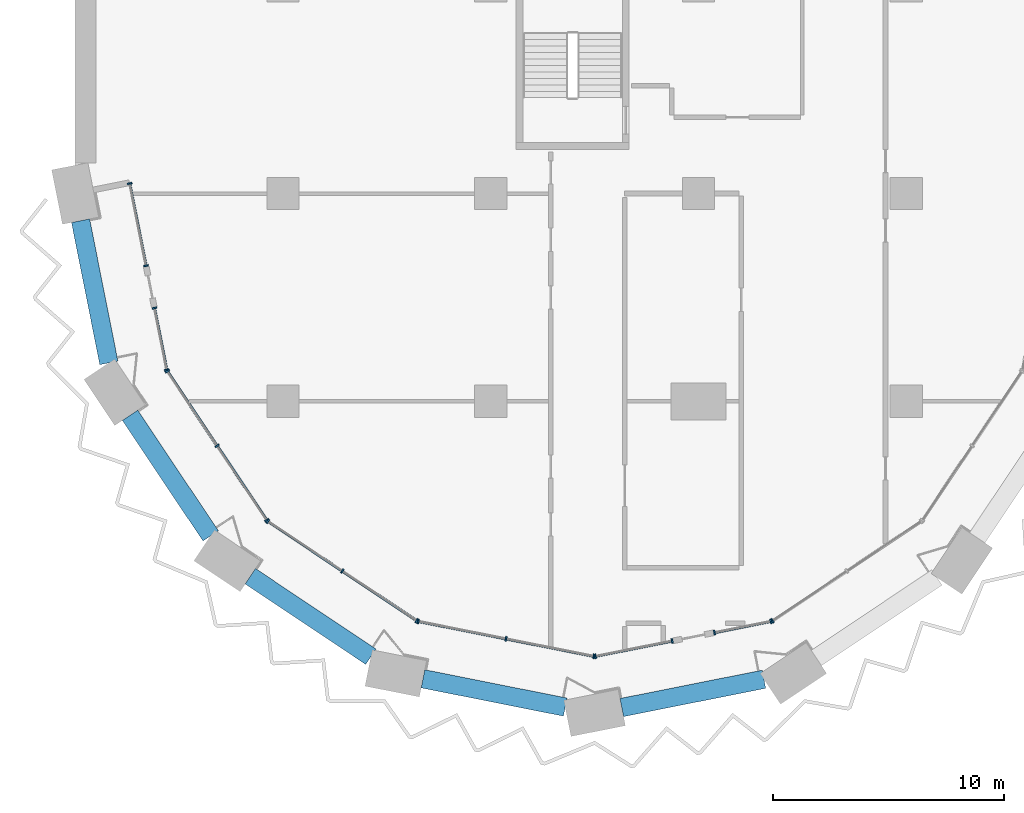
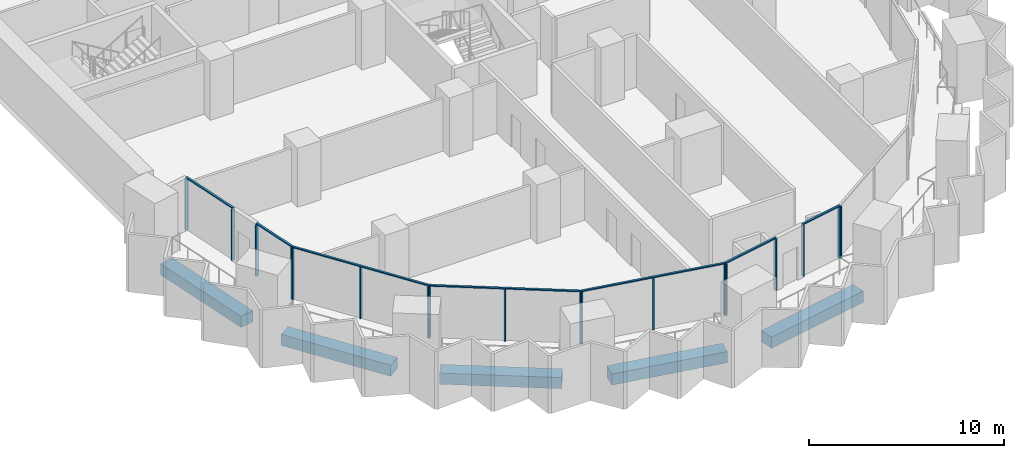
# One storey, part 2 of 28: 25 members, 5 beams, 8 elements without a shape of their own.
"""IFC4 building model written with IfcOpenShell, lengths in metres."""

from ifc_helpers import new_model, si_unit, direction, frame, origin, origin_2d, place, context, subcontext, project, spatial, rectangle, extrude, material, material_profile, profile_set, type_object, element, aggregate, save


model = new_model("IFC4")

# Units and contexts
model_context = context("Model", 3, precision=1e-05, world=origin(), true_north=direction((0.0, 1.0)))
body_context = subcontext(model_context, "Body", "Model", "MODEL_VIEW")
ifc_project = project(units=[si_unit("LENGTHUNIT", "METRE"), si_unit("AREAUNIT", "SQUARE_METRE"), si_unit("VOLUMEUNIT", "CUBIC_METRE"), si_unit("PLANEANGLEUNIT", "RADIAN"), si_unit("MASSUNIT", "GRAM", prefix="KILO")], contexts=[model_context])

# Site, building, storey
site_placement = place(None, origin())
site = spatial("IfcSite", under=ifc_project, at=site_placement, CompositionType="ELEMENT")
building_placement = place(site_placement, origin())
building = spatial("IfcBuilding", under=site, at=building_placement, Name="Hunhe Ridgeline Campus", CompositionType="ELEMENT")
storey_placement = place(building_placement, frame((0.0, 0.0, 58.0)))
storey = spatial("IfcBuildingStorey", under=building, at=storey_placement, Name="L13", CompositionType="ELEMENT", Elevation=58.0)

# Curtain wall, members
ifc_material_1 = material(Name="Aluminium 6063", Category="aluminium")
curtain_wall_type = type_object("IfcCurtainWallType", Name="Curtain wall CW-5", PredefinedType="NOTDEFINED", material=ifc_material_1)
curtain_wall_1_placement = place(storey_placement, origin())
curtain_wall_1 = element("IfcCurtainWall", 1, at=curtain_wall_1_placement, inside=storey, type_object=curtain_wall_type, Name="Curtain wall 01", PredefinedType="NOTDEFINED")
ifc_material_profile_1 = material_profile(ifc_material_1, rectangle(XDim=0.199951171875, YDim=0.070068359375, at=origin_2d()))
ifc_profile_set_1 = profile_set([ifc_material_profile_1], Name="Aluminium 6063")
member_type_1 = type_object("IfcMemberType", Name="CW-5 aluminium mullion", PredefinedType="MULLION", material=ifc_profile_set_1)
member_1_placement = place(storey_placement, frame((2.361572265625, 27.434326171875, 0.0), z_axis=(0.0, 0.0, 1.0), x_axis=(0.980784284924, 0.195095326561, 0.0)))
member_1 = element("IfcMember", 2, at=member_1_placement, type_object=member_type_1, Name="CW-5 mullion 1", PredefinedType="MULLION", context=body_context, shape_type="SweptSolid", body=[
    extrude(rectangle(XDim=0.199951171875, YDim=0.070068359375, at=origin_2d()), origin(), (0.0, 0.0, 1.0), 3.22998046875),
])
member_2_placement = place(storey_placement, frame((3.070068359375, 23.873291015625, 0.0), z_axis=(0.0, 0.0, 1.0), x_axis=(0.980784284924, 0.195095326561, 0.0)))
member_2 = element("IfcMember", 3, at=member_2_placement, type_object=member_type_1, Name="CW-5 mullion 2", PredefinedType="MULLION", context=body_context, shape_type="SweptSolid", body=[
    extrude(rectangle(XDim=0.199951171875, YDim=0.070068359375, at=origin_2d()), origin(), (0.0, 0.0, 1.0), 3.22998046875),
])

curtain_wall_2_placement = place(storey_placement, origin())
curtain_wall_2 = element("IfcCurtainWall", 4, at=curtain_wall_2_placement, inside=storey, type_object=curtain_wall_type, Name="Curtain wall 02", PredefinedType="NOTDEFINED")
member_3_placement = place(storey_placement, frame((3.434814453125, 22.0390625, 0.0), z_axis=(0.0, 0.0, 1.0), x_axis=(0.980784297053, 0.195095265587, 0.0)))
member_3 = element("IfcMember", 5, at=member_3_placement, type_object=member_type_1, Name="CW-5 mullion 1", PredefinedType="MULLION", context=body_context, shape_type="SweptSolid", body=[
    extrude(rectangle(XDim=0.199951171875, YDim=0.070068359375, at=origin_2d()), origin(), (0.0, 0.0, 1.0), 3.22998046875),
])
member_4_placement = place(storey_placement, frame((3.967529296875, 19.36083984375, 0.0), z_axis=(0.0, 0.0, 1.0), x_axis=(0.980784297053, 0.195095265587, 0.0)))
member_4 = element("IfcMember", 6, at=member_4_placement, type_object=member_type_1, Name="CW-5 mullion 2", PredefinedType="MULLION", context=body_context, shape_type="SweptSolid", body=[
    extrude(rectangle(XDim=0.199951171875, YDim=0.070068359375, at=origin_2d()), origin(), (0.0, 0.0, 1.0), 3.22998046875),
])

curtain_wall_3_placement = place(storey_placement, origin())
curtain_wall_3 = element("IfcCurtainWall", 7, at=curtain_wall_3_placement, inside=storey, type_object=curtain_wall_type, Name="Curtain wall 03", PredefinedType="NOTDEFINED")
member_5_placement = place(storey_placement, frame((3.993896484375, 19.29736328125, 0.0), z_axis=(0.0, 0.0, 1.0), x_axis=(0.831469584522, 0.555570274596, 0.0)))
member_5 = element("IfcMember", 8, at=member_5_placement, type_object=member_type_1, Name="CW-5 mullion 1", PredefinedType="MULLION", context=body_context, shape_type="SweptSolid", body=[
    extrude(rectangle(XDim=0.199951171875, YDim=0.070068359375, at=origin_2d()), origin(), (0.0, 0.0, 1.0), 3.22998046875),
])
member_6_placement = place(storey_placement, frame((6.147705078125, 16.07373046875, 0.0), z_axis=(0.0, 0.0, 1.0), x_axis=(0.831469584522, 0.555570274596, 0.0)))
member_6 = element("IfcMember", 9, at=member_6_placement, type_object=member_type_1, Name="CW-5 mullion 2", PredefinedType="MULLION", context=body_context, shape_type="SweptSolid", body=[
    extrude(rectangle(XDim=0.199951171875, YDim=0.070068359375, at=origin_2d()), origin(), (0.0, 0.0, 1.0), 3.22998046875),
])
member_7_placement = place(storey_placement, frame((8.3017578125, 12.850341796875, 0.0), z_axis=(0.0, 0.0, 1.0), x_axis=(0.831469584522, 0.555570274596, 0.0)))
member_7 = element("IfcMember", 10, at=member_7_placement, type_object=member_type_1, Name="CW-5 mullion 3", PredefinedType="MULLION", context=body_context, shape_type="SweptSolid", body=[
    extrude(rectangle(XDim=0.199951171875, YDim=0.070068359375, at=origin_2d()), origin(), (0.0, 0.0, 1.0), 3.22998046875),
])

curtain_wall_4_placement = place(storey_placement, origin())
curtain_wall_4 = element("IfcCurtainWall", 11, at=curtain_wall_4_placement, inside=storey, type_object=curtain_wall_type, Name="Curtain wall 04", PredefinedType="NOTDEFINED")
member_8_placement = place(storey_placement, frame((8.350341796875, 12.8017578125, 0.0), z_axis=(0.0, 0.0, 1.0), x_axis=(0.555570274596, 0.831469584522, 0.0)))
member_8 = element("IfcMember", 12, at=member_8_placement, type_object=member_type_1, Name="CW-5 mullion 1", PredefinedType="MULLION", context=body_context, shape_type="SweptSolid", body=[
    extrude(rectangle(XDim=0.199951171875, YDim=0.070068359375, at=origin_2d()), origin(), (0.0, 0.0, 1.0), 3.22998046875),
])
member_9_placement = place(storey_placement, frame((11.57373046875, 10.647705078125, 0.0), z_axis=(0.0, 0.0, 1.0), x_axis=(0.555570274596, 0.831469584522, 0.0)))
member_9 = element("IfcMember", 13, at=member_9_placement, type_object=member_type_1, Name="CW-5 mullion 2", PredefinedType="MULLION", context=body_context, shape_type="SweptSolid", body=[
    extrude(rectangle(XDim=0.199951171875, YDim=0.070068359375, at=origin_2d()), origin(), (0.0, 0.0, 1.0), 3.22998046875),
])
member_10_placement = place(storey_placement, frame((14.79736328125, 8.493896484375, 0.0), z_axis=(0.0, 0.0, 1.0), x_axis=(0.555570274596, 0.831469584522, 0.0)))
member_10 = element("IfcMember", 14, at=member_10_placement, type_object=member_type_1, Name="CW-5 mullion 3", PredefinedType="MULLION", context=body_context, shape_type="SweptSolid", body=[
    extrude(rectangle(XDim=0.199951171875, YDim=0.070068359375, at=origin_2d()), origin(), (0.0, 0.0, 1.0), 3.22998046875),
])

curtain_wall_5_placement = place(storey_placement, origin())
curtain_wall_5 = element("IfcCurtainWall", 15, at=curtain_wall_5_placement, inside=storey, type_object=curtain_wall_type, Name="Curtain wall 05", PredefinedType="NOTDEFINED")
member_11_placement = place(storey_placement, frame((14.86083984375, 8.467529296875, 0.0), z_axis=(0.0, 0.0, 1.0), x_axis=(0.195090347539, 0.980785275326, 0.0)))
member_11 = element("IfcMember", 16, at=member_11_placement, type_object=member_type_1, Name="CW-5 mullion 1", PredefinedType="MULLION", context=body_context, shape_type="SweptSolid", body=[
    extrude(rectangle(XDim=0.199951171875, YDim=0.070068359375, at=origin_2d()), origin(), (0.0, 0.0, 1.0), 3.22998046875),
])
member_12_placement = place(storey_placement, frame((18.663330078125, 7.711181640625, 0.0), z_axis=(0.0, 0.0, 1.0), x_axis=(0.195090347539, 0.980785275326, 0.0)))
member_12 = element("IfcMember", 17, at=member_12_placement, type_object=member_type_1, Name="CW-5 mullion 2", PredefinedType="MULLION", context=body_context, shape_type="SweptSolid", body=[
    extrude(rectangle(XDim=0.199951171875, YDim=0.070068359375, at=origin_2d()), origin(), (0.0, 0.0, 1.0), 3.22998046875),
])
member_13_placement = place(storey_placement, frame((22.465576171875, 6.954833984375, 0.0), z_axis=(0.0, 0.0, 1.0), x_axis=(0.195090347539, 0.980785275326, 0.0)))
member_13 = element("IfcMember", 18, at=member_13_placement, type_object=member_type_1, Name="CW-5 mullion 3", PredefinedType="MULLION", context=body_context, shape_type="SweptSolid", body=[
    extrude(rectangle(XDim=0.199951171875, YDim=0.070068359375, at=origin_2d()), origin(), (0.0, 0.0, 1.0), 3.22998046875),
])

curtain_wall_6_placement = place(storey_placement, origin())
curtain_wall_6 = element("IfcCurtainWall", 19, at=curtain_wall_6_placement, inside=storey, type_object=curtain_wall_type, Name="Curtain wall 06", PredefinedType="NOTDEFINED")
member_14_placement = place(storey_placement, frame((22.534423828125, 6.954833984375, 0.0), z_axis=(0.0, 0.0, 1.0), x_axis=(-0.19509037034, 0.980785270791, 0.0)))
member_14 = element("IfcMember", 20, at=member_14_placement, type_object=member_type_1, Name="CW-5 mullion 1", PredefinedType="MULLION", context=body_context, shape_type="SweptSolid", body=[
    extrude(rectangle(XDim=0.199951171875, YDim=0.070068359375, at=origin_2d()), origin(), (0.0, 0.0, 1.0), 3.22998046875),
])
member_15_placement = place(storey_placement, frame((25.861083984375, 7.61669921875, 0.0), z_axis=(0.0, 0.0, 1.0), x_axis=(-0.19509037034, 0.980785270791, 0.0)))
member_15 = element("IfcMember", 21, at=member_15_placement, type_object=member_type_1, Name="CW-5 mullion 2", PredefinedType="MULLION", context=body_context, shape_type="SweptSolid", body=[
    extrude(rectangle(XDim=0.199951171875, YDim=0.070068359375, at=origin_2d()), origin(), (0.0, 0.0, 1.0), 3.22998046875),
])

curtain_wall_7_placement = place(storey_placement, origin())
curtain_wall_7 = element("IfcCurtainWall", 22, at=curtain_wall_7_placement, inside=storey, type_object=curtain_wall_type, Name="Curtain wall 07", PredefinedType="NOTDEFINED")
member_16_placement = place(storey_placement, frame((27.695068359375, 7.9814453125, 0.0), z_axis=(0.0, 0.0, 1.0), x_axis=(-0.195090514627, 0.980785242091, 0.0)))
member_16 = element("IfcMember", 23, at=member_16_placement, type_object=member_type_1, Name="CW-5 mullion 1", PredefinedType="MULLION", context=body_context, shape_type="SweptSolid", body=[
    extrude(rectangle(XDim=0.199951171875, YDim=0.070068359375, at=origin_2d()), origin(), (0.0, 0.0, 1.0), 3.22998046875),
])
member_17_placement = place(storey_placement, frame((30.13916015625, 8.467529296875, 0.0), z_axis=(0.0, 0.0, 1.0), x_axis=(-0.195090514627, 0.980785242091, 0.0)))
member_17 = element("IfcMember", 24, at=member_17_placement, type_object=member_type_1, Name="CW-5 mullion 2", PredefinedType="MULLION", context=body_context, shape_type="SweptSolid", body=[
    extrude(rectangle(XDim=0.199951171875, YDim=0.070068359375, at=origin_2d()), origin(), (0.0, 0.0, 1.0), 3.22998046875),
])

# Curtain wall, member
curtain_wall_8_placement = place(storey_placement, origin())
curtain_wall_8 = element("IfcCurtainWall", 25, at=curtain_wall_8_placement, inside=storey, type_object=curtain_wall_type, Name="Curtain wall 08", PredefinedType="NOTDEFINED")
member_18_placement = place(storey_placement, frame((30.20263671875, 8.493896484375, 0.0), z_axis=(0.0, 0.0, 1.0), x_axis=(-0.555570274596, 0.831469584522, 0.0)))
member_18 = element("IfcMember", 26, at=member_18_placement, type_object=member_type_1, Name="CW-5 mullion 1", PredefinedType="MULLION", context=body_context, shape_type="SweptSolid", body=[
    extrude(rectangle(XDim=0.199951171875, YDim=0.070068359375, at=origin_2d()), origin(), (0.0, 0.0, 1.0), 3.22998046875),
])
aggregate(curtain_wall_8, [member_18])

# Member
ifc_material_profile_2 = material_profile(ifc_material_1, rectangle(XDim=0.1201171875, YDim=0.070068359375, at=origin_2d()))
ifc_profile_set_2 = profile_set([ifc_material_profile_2], Name="Aluminium 6063")
member_type_2 = type_object("IfcMemberType", Name="CW-5 aluminium transom", PredefinedType="USERDEFINED", material=ifc_profile_set_2)
member_19_placement = place(storey_placement, frame((2.354736328125, 27.46875, 3.264892578125), z_axis=(0.195126549745, -0.980778073564, 0.0), x_axis=(0.980778073564, 0.195126549745, 0.0)))
member_19 = element("IfcMember", 27, at=member_19_placement, type_object=member_type_2, Name="CW-5 transom 1", ObjectType="TRANSOM", PredefinedType="USERDEFINED", context=body_context, shape_type="SweptSolid", body=[
    extrude(rectangle(XDim=0.1201171875, YDim=0.070068359375, at=origin_2d()), origin(), (0.0, 0.0, 1.0), 3.700927734375),
])

aggregate(curtain_wall_1, [member_19, member_1, member_2])

member_20_placement = place(storey_placement, frame((3.427978515625, 22.073486328125, 3.264892578125), z_axis=(0.195076742145, -0.98078798151, 0.0), x_axis=(0.98078798151, 0.195076742145, 0.0)))
member_20 = element("IfcMember", 28, at=member_20_placement, type_object=member_type_2, Name="CW-5 transom 1", ObjectType="TRANSOM", PredefinedType="USERDEFINED", context=body_context, shape_type="SweptSolid", body=[
    extrude(rectangle(XDim=0.1201171875, YDim=0.070068359375, at=origin_2d()), origin(), (0.0, 0.0, 1.0), 2.80078125),
])

aggregate(curtain_wall_2, [member_20, member_3, member_4])

member_21_placement = place(storey_placement, frame((3.974365234375, 19.326416015625, 3.264892578125), z_axis=(0.5555640203, -0.831473763475, 0.0), x_axis=(0.831473763475, 0.5555640203, 0.0)))
member_21 = element("IfcMember", 29, at=member_21_placement, type_object=member_type_2, Name="CW-5 transom 1", ObjectType="TRANSOM", PredefinedType="USERDEFINED", context=body_context, shape_type="SweptSolid", body=[
    extrude(rectangle(XDim=0.1201171875, YDim=0.070068359375, at=origin_2d()), origin(), (0.0, 0.0, 1.0), 7.823974609375),
])

aggregate(curtain_wall_3, [member_21, member_5, member_6, member_7])

member_22_placement = place(storey_placement, frame((8.321044921875, 12.821044921875, 3.264892578125), z_axis=(0.831473763475, -0.5555640203, 0.0), x_axis=(0.5555640203, 0.831473763475, 0.0)))
member_22 = element("IfcMember", 30, at=member_22_placement, type_object=member_type_2, Name="CW-5 transom 1", ObjectType="TRANSOM", PredefinedType="USERDEFINED", context=body_context, shape_type="SweptSolid", body=[
    extrude(rectangle(XDim=0.1201171875, YDim=0.070068359375, at=origin_2d()), origin(), (0.0, 0.0, 1.0), 7.823974609375),
])

aggregate(curtain_wall_4, [member_22, member_8, member_9, member_10])

member_23_placement = place(storey_placement, frame((14.826416015625, 8.474365234375, 3.264892578125), z_axis=(0.980785367689, -0.195089883198, 0.0), x_axis=(0.195089883198, 0.980785367689, 0.0)))
member_23 = element("IfcMember", 31, at=member_23_placement, type_object=member_type_2, Name="CW-5 transom 1", ObjectType="TRANSOM", PredefinedType="USERDEFINED", context=body_context, shape_type="SweptSolid", body=[
    extrude(rectangle(XDim=0.1201171875, YDim=0.070068359375, at=origin_2d()), origin(), (0.0, 0.0, 1.0), 7.823974609375),
])

aggregate(curtain_wall_5, [member_23, member_11, member_12, member_13])

member_24_placement = place(storey_placement, frame((22.5, 6.947998046875, 3.264892578125), z_axis=(0.980778171596, 0.195126057004, 0.0), x_axis=(-0.195126057004, 0.980778171596, 0.0)))
member_24 = element("IfcMember", 32, at=member_24_placement, type_object=member_type_2, Name="CW-5 transom 1", ObjectType="TRANSOM", PredefinedType="USERDEFINED", context=body_context, shape_type="SweptSolid", body=[
    extrude(rectangle(XDim=0.1201171875, YDim=0.070068359375, at=origin_2d()), origin(), (0.0, 0.0, 1.0), 3.462158203125),
])

aggregate(curtain_wall_6, [member_24, member_14, member_15])

member_25_placement = place(storey_placement, frame((27.660888671875, 7.974609375, 3.264892578125), z_axis=(0.980789038007, 0.195071430315, 0.0), x_axis=(-0.195071430315, 0.980789038007, 0.0)))
member_25 = element("IfcMember", 33, at=member_25_placement, type_object=member_type_2, Name="CW-5 transom 1", ObjectType="TRANSOM", PredefinedType="USERDEFINED", context=body_context, shape_type="SweptSolid", body=[
    extrude(rectangle(XDim=0.1201171875, YDim=0.070068359375, at=origin_2d()), origin(), (0.0, 0.0, 1.0), 2.56201171875),
])

aggregate(curtain_wall_7, [member_25, member_16, member_17])

# Beams
ifc_material_2 = material(Name="Concrete C60", Category="concrete")
ifc_material_profile_3 = material_profile(ifc_material_2, rectangle(XDim=0.800048828125, YDim=0.699951171875, at=origin_2d()))
ifc_profile_set_3 = profile_set([ifc_material_profile_3], Name="Concrete C60")
beam_type = type_object("IfcBeamType", Name="RC spandrel beam 800x700 Concrete C60", PredefinedType="SPANDREL", material=ifc_profile_set_3)
for number, where, z_axis, x_axis, name in (
    (34, (0.234130859375, 25.822998046875, -0.60009765625), (0.195076855144, -0.980787959034, 0.0), (0.980787959034, 0.195076855144, 0.0), "Spandrel beam B1-1 L13"),
    (35, (2.37939453125, 17.391845703125, -0.60009765625), (0.555570106491, -0.831469696846, 0.0), (0.831469696846, 0.555570106491, 0.0), "Spandrel beam B1-2 L13"),
    (36, (7.587890625, 10.42333984375, -0.60009765625), (0.831469696846, -0.555570106491, 0.0), (0.555570106491, 0.831469696846, 0.0), "Spandrel beam B1-3 L13"),
    (37, (15.066650390625, 5.978515625, -0.60009765625), (0.980787959034, -0.195076855144, 0.0), (0.195076855144, 0.980787959034, 0.0), "Spandrel beam B1-4 L13"),
    (38, (23.677001953125, 4.734130859375, -0.60009765625), (0.980787959034, 0.195076855144, 0.0), (-0.195076855144, 0.980787959034, 0.0), "Spandrel beam B1-5 L13"),
):
    element("IfcBeam", number, at=place(storey_placement, frame(where, z_axis=z_axis, x_axis=x_axis)), inside=storey, type_object=beam_type, Name=name, PredefinedType="SPANDREL", context=body_context, shape_type="SweptSolid", body=[
        extrude(rectangle(XDim=0.800048828125, YDim=0.699951171875, at=origin_2d()), origin(), (0.0, 0.0, 1.0), 6.280029296875),
    ])

save(model, "model.ifc")
